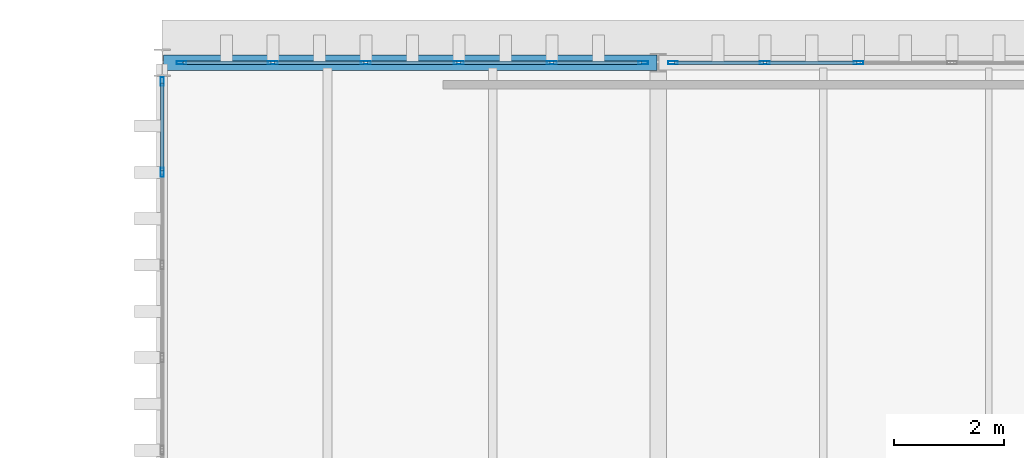
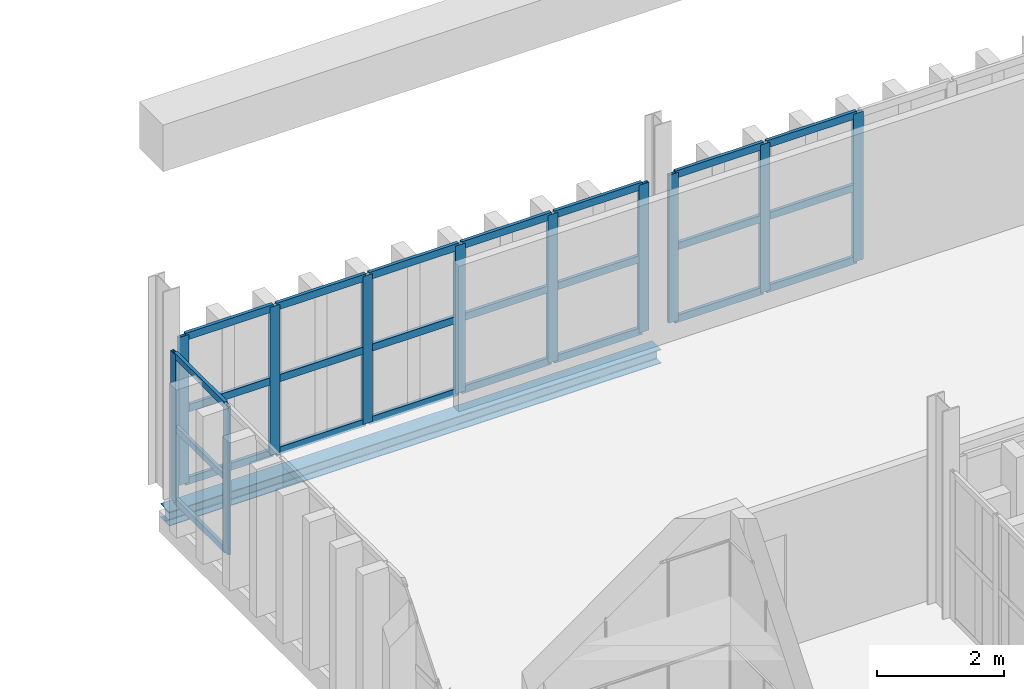
# One storey, part 68 of 102: 35 members, 1 beam, 3 elements without a shape of their own.
"""IFC4 building model written with IfcOpenShell, lengths in metres."""

from ifc_helpers import new_model, si_unit, direction, frame, origin, origin_2d, place, context, subcontext, project, spatial, hollow_rectangle, i_section, extrude, material, layer, layer_set, material_profile, profile_set, type_object, element, aggregate, save


model = new_model("IFC4")

# Units and contexts
model_context = context("Model", 3, precision=1e-05, world=origin(), true_north=direction((0.0, 1.0)))
body_context = subcontext(model_context, "Body", "Model", "MODEL_VIEW")
ifc_project = project(units=[si_unit("LENGTHUNIT", "METRE"), si_unit("AREAUNIT", "SQUARE_METRE"), si_unit("VOLUMEUNIT", "CUBIC_METRE"), si_unit("PLANEANGLEUNIT", "RADIAN"), si_unit("MASSUNIT", "GRAM", prefix="KILO")], contexts=[model_context])

# Site, building, storey
site_placement = place(None, origin())
site = spatial("IfcSite", under=ifc_project, at=site_placement, CompositionType="ELEMENT")
building_placement = place(site_placement, origin())
building = spatial("IfcBuilding", under=site, at=building_placement, Name="Barlavento Convention Centre", CompositionType="ELEMENT")
storey_placement = place(building_placement, frame((0.0, 0.0, 22.800048828125)))
storey = spatial("IfcBuildingStorey", under=building, at=storey_placement, Name="L04", CompositionType="ELEMENT", Elevation=22.800048828125)

# Curtain wall, members
ifc_material_1 = material(Name="Powder-coated aluminium and Low-E glass", Category="aluminium")
ifc_layer = layer(ifc_material_1, 0.18505859375)
ifc_layer_set = layer_set([ifc_layer], Name="ARC-CW-CONF-L04")
curtain_wall_type = type_object("IfcCurtainWallType", Name="ARC-CW-CONF-L04", PredefinedType="NOTDEFINED", material=ifc_layer_set)
curtain_wall_1_placement = place(storey_placement, origin())
curtain_wall_1 = element("IfcCurtainWall", 1, at=curtain_wall_1_placement, inside=storey, type_object=curtain_wall_type, Name="L04 unitised curtain wall CW09", PredefinedType="NOTDEFINED")
ifc_material_2 = material(Name="Powder-coated aluminium", Category="aluminium")
ifc_material_profile_1 = material_profile(ifc_material_2, hollow_rectangle(XDim=0.06005859375, YDim=0.159912109375, WallThickness=0.00390625, at=origin_2d()), Name="AL-MULL 60x160x4")
ifc_profile_set_1 = profile_set([ifc_material_profile_1], Name="Powder-coated aluminium")
member_type_1 = type_object("IfcMemberType", Name="ARC-CWM-60X160", PredefinedType="MULLION", material=ifc_profile_set_1)
member_1_placement = place(storey_placement, frame((126.0, 97.009033203125, 0.0), z_axis=(0.0, 0.0, 1.0), x_axis=(-1.0, 0.0, 0.0)))
member_1 = element("IfcMember", 2, at=member_1_placement, type_object=member_type_1, Name="CW09 mullion 5", PredefinedType="MULLION", context=body_context, shape_type="SweptSolid", body=[
    extrude(hollow_rectangle(XDim=0.06005859375, YDim=0.159912109375, WallThickness=0.00390625, at=origin_2d()), origin(), (0.0, 0.0, 1.0), 2.849853515625),
])
member_2_placement = place(storey_placement, frame((126.0, 98.659912109375, 0.0), z_axis=(0.0, 0.0, 1.0), x_axis=(-1.0, 0.0, 0.0)))
member_2 = element("IfcMember", 3, at=member_2_placement, type_object=member_type_1, Name="CW09 mullion 6", PredefinedType="MULLION", context=body_context, shape_type="SweptSolid", body=[
    extrude(hollow_rectangle(XDim=0.06005859375, YDim=0.159912109375, WallThickness=0.00390625, at=origin_2d()), origin(), (0.0, 0.0, 1.0), 2.849853515625),
])

curtain_wall_2_placement = place(storey_placement, origin())
curtain_wall_2 = element("IfcCurtainWall", 4, at=curtain_wall_2_placement, inside=storey, type_object=curtain_wall_type, Name="L04 unitised curtain wall CW09", PredefinedType="NOTDEFINED")
ifc_material_profile_2 = material_profile(ifc_material_2, hollow_rectangle(XDim=0.06005859375, YDim=0.179931640625, WallThickness=0.0048828125, at=origin_2d()), Name="AL-MULL 60x180x5")
ifc_profile_set_2 = profile_set([ifc_material_profile_2], Name="Powder-coated aluminium")
member_type_2 = type_object("IfcMemberType", Name="ARC-CWM-60X180", PredefinedType="MULLION", material=ifc_profile_set_2)
member_3_placement = place(storey_placement, frame((126.35009765625, 99.0, 0.0), z_axis=(0.0, 0.0, 1.0), x_axis=(0.0, 1.0, 0.0)))
member_3 = element("IfcMember", 5, at=member_3_placement, type_object=member_type_2, Name="CW09 mullion 1", PredefinedType="MULLION", context=body_context, shape_type="SweptSolid", body=[
    extrude(hollow_rectangle(XDim=0.06005859375, YDim=0.179931640625, WallThickness=0.0048828125, at=origin_2d()), origin(), (0.0, 0.0, 1.0), 2.849853515625),
])
member_4_placement = place(storey_placement, frame((128.008056640625, 99.0, 0.0), z_axis=(0.0, 0.0, 1.0), x_axis=(0.0, 1.0, 0.0)))
member_4 = element("IfcMember", 6, at=member_4_placement, type_object=member_type_2, Name="CW09 mullion 2", PredefinedType="MULLION", context=body_context, shape_type="SweptSolid", body=[
    extrude(hollow_rectangle(XDim=0.06005859375, YDim=0.179931640625, WallThickness=0.0048828125, at=origin_2d()), origin(), (0.0, 0.0, 1.0), 2.849853515625),
])
member_5_placement = place(storey_placement, frame((129.696044921875, 99.0, 0.0), z_axis=(0.0, 0.0, 1.0), x_axis=(0.0, 1.0, 0.0)))
member_5 = element("IfcMember", 7, at=member_5_placement, type_object=member_type_2, Name="CW09 mullion 3", PredefinedType="MULLION", context=body_context, shape_type="SweptSolid", body=[
    extrude(hollow_rectangle(XDim=0.06005859375, YDim=0.179931640625, WallThickness=0.0048828125, at=origin_2d()), origin(), (0.0, 0.0, 1.0), 2.849853515625),
])
member_6_placement = place(storey_placement, frame((131.384033203125, 99.0, 0.0), z_axis=(0.0, 0.0, 1.0), x_axis=(0.0, 1.0, 0.0)))
member_6 = element("IfcMember", 8, at=member_6_placement, type_object=member_type_2, Name="CW09 mullion 4", PredefinedType="MULLION", context=body_context, shape_type="SweptSolid", body=[
    extrude(hollow_rectangle(XDim=0.06005859375, YDim=0.179931640625, WallThickness=0.0048828125, at=origin_2d()), origin(), (0.0, 0.0, 1.0), 2.849853515625),
])
member_7_placement = place(storey_placement, frame((133.072021484375, 99.0, 0.0), z_axis=(0.0, 0.0, 1.0), x_axis=(0.0, 1.0, 0.0)))
member_7 = element("IfcMember", 9, at=member_7_placement, type_object=member_type_2, Name="CW09 mullion 5", PredefinedType="MULLION", context=body_context, shape_type="SweptSolid", body=[
    extrude(hollow_rectangle(XDim=0.06005859375, YDim=0.179931640625, WallThickness=0.0048828125, at=origin_2d()), origin(), (0.0, 0.0, 1.0), 2.849853515625),
])
member_8_placement = place(storey_placement, frame((134.72998046875, 99.0, 0.0), z_axis=(0.0, 0.0, 1.0), x_axis=(0.0, 1.0, 0.0)))
member_8 = element("IfcMember", 10, at=member_8_placement, type_object=member_type_2, Name="CW09 mullion 6", PredefinedType="MULLION", context=body_context, shape_type="SweptSolid", body=[
    extrude(hollow_rectangle(XDim=0.06005859375, YDim=0.179931640625, WallThickness=0.0048828125, at=origin_2d()), origin(), (0.0, 0.0, 1.0), 2.849853515625),
])

curtain_wall_3_placement = place(storey_placement, origin())
curtain_wall_3 = element("IfcCurtainWall", 11, at=curtain_wall_3_placement, inside=storey, type_object=curtain_wall_type, Name="L04 unitised curtain wall CW09", PredefinedType="NOTDEFINED")
member_9_placement = place(storey_placement, frame((135.27001953125, 99.0, 0.0), z_axis=(0.0, 0.0, 1.0), x_axis=(0.0, 1.0, 0.0)))
member_9 = element("IfcMember", 12, at=member_9_placement, type_object=member_type_2, Name="CW09 mullion 1", PredefinedType="MULLION", context=body_context, shape_type="SweptSolid", body=[
    extrude(hollow_rectangle(XDim=0.06005859375, YDim=0.179931640625, WallThickness=0.0048828125, at=origin_2d()), origin(), (0.0, 0.0, 1.0), 2.849853515625),
])
member_10_placement = place(storey_placement, frame((136.93798828125, 99.0, 0.0), z_axis=(0.0, 0.0, 1.0), x_axis=(0.0, 1.0, 0.0)))
member_10 = element("IfcMember", 13, at=member_10_placement, type_object=member_type_2, Name="CW09 mullion 2", PredefinedType="MULLION", context=body_context, shape_type="SweptSolid", body=[
    extrude(hollow_rectangle(XDim=0.06005859375, YDim=0.179931640625, WallThickness=0.0048828125, at=origin_2d()), origin(), (0.0, 0.0, 1.0), 2.849853515625),
])
member_11_placement = place(storey_placement, frame((138.635986328125, 99.0, 0.0), z_axis=(0.0, 0.0, 1.0), x_axis=(0.0, 1.0, 0.0)))
member_11 = element("IfcMember", 14, at=member_11_placement, type_object=member_type_2, Name="CW09 mullion 3", PredefinedType="MULLION", context=body_context, shape_type="SweptSolid", body=[
    extrude(hollow_rectangle(XDim=0.06005859375, YDim=0.179931640625, WallThickness=0.0048828125, at=origin_2d()), origin(), (0.0, 0.0, 1.0), 2.849853515625),
])

# Member
ifc_material_profile_3 = material_profile(ifc_material_2, hollow_rectangle(XDim=0.06005859375, YDim=0.1201171875, WallThickness=0.00390625, at=origin_2d()), Name="AL-TRAN 60x120x4")
ifc_profile_set_3 = profile_set([ifc_material_profile_3], Name="Powder-coated aluminium")
member_type_3 = type_object("IfcMemberType", Name="ARC-CWT-60X120", PredefinedType="USERDEFINED", material=ifc_profile_set_3)
member_12_placement = place(storey_placement, frame((126.0, 97.0390625, 0.030029296875), z_axis=(0.0, 1.0, 0.0), x_axis=(-1.0, 0.0, 0.0)))
member_12 = element("IfcMember", 15, at=member_12_placement, type_object=member_type_3, Name="CW09 transom 5.1", ObjectType="TRANSOM", PredefinedType="USERDEFINED", context=body_context, shape_type="SweptSolid", body=[
    extrude(hollow_rectangle(XDim=0.06005859375, YDim=0.1201171875, WallThickness=0.00390625, at=origin_2d()), origin(), (0.0, 0.0, 1.0), 1.5908203125),
])

member_13_placement = place(storey_placement, frame((126.0, 97.0390625, 1.425048828125), z_axis=(0.0, 1.0, 0.0), x_axis=(-1.0, 0.0, 0.0)))
member_13 = element("IfcMember", 16, at=member_13_placement, type_object=member_type_3, Name="CW09 transom 5.2", ObjectType="TRANSOM", PredefinedType="USERDEFINED", context=body_context, shape_type="SweptSolid", body=[
    extrude(hollow_rectangle(XDim=0.06005859375, YDim=0.1201171875, WallThickness=0.00390625, at=origin_2d()), origin(), (0.0, 0.0, 1.0), 1.5908203125),
])

member_14_placement = place(storey_placement, frame((126.0, 97.0390625, 2.820068359375), z_axis=(0.0, 1.0, 0.0), x_axis=(-1.0, 0.0, 0.0)))
member_14 = element("IfcMember", 17, at=member_14_placement, type_object=member_type_3, Name="CW09 transom 5.3", ObjectType="TRANSOM", PredefinedType="USERDEFINED", context=body_context, shape_type="SweptSolid", body=[
    extrude(hollow_rectangle(XDim=0.06005859375, YDim=0.1201171875, WallThickness=0.00390625, at=origin_2d()), origin(), (0.0, 0.0, 1.0), 1.5908203125),
])

aggregate(curtain_wall_1, [member_1, member_2, member_12, member_13, member_14])

ifc_material_profile_4 = material_profile(ifc_material_2, hollow_rectangle(XDim=0.06005859375, YDim=0.139892578125, WallThickness=0.00390625, at=origin_2d()), Name="AL-TRAN 60x140x4")
ifc_profile_set_4 = profile_set([ifc_material_profile_4], Name="Powder-coated aluminium")
member_type_4 = type_object("IfcMemberType", Name="ARC-CWT-60X140", PredefinedType="USERDEFINED", material=ifc_profile_set_4)
member_15_placement = place(storey_placement, frame((126.3798828125, 99.0, 0.030029296875), z_axis=(1.0, 0.0, 0.0), x_axis=(0.0, 1.0, 0.0)))
member_15 = element("IfcMember", 18, at=member_15_placement, type_object=member_type_4, Name="CW09 transom 1.1", ObjectType="TRANSOM", PredefinedType="USERDEFINED", context=body_context, shape_type="SweptSolid", body=[
    extrude(hollow_rectangle(XDim=0.06005859375, YDim=0.139892578125, WallThickness=0.00390625, at=origin_2d()), origin(), (0.0, 0.0, 1.0), 1.59814453125),
])

member_16_placement = place(storey_placement, frame((126.3798828125, 99.0, 1.425048828125), z_axis=(1.0, 0.0, 0.0), x_axis=(0.0, 1.0, 0.0)))
member_16 = element("IfcMember", 19, at=member_16_placement, type_object=member_type_4, Name="CW09 transom 1.2", ObjectType="TRANSOM", PredefinedType="USERDEFINED", context=body_context, shape_type="SweptSolid", body=[
    extrude(hollow_rectangle(XDim=0.06005859375, YDim=0.139892578125, WallThickness=0.00390625, at=origin_2d()), origin(), (0.0, 0.0, 1.0), 1.59814453125),
])

member_17_placement = place(storey_placement, frame((126.3798828125, 99.0, 2.820068359375), z_axis=(1.0, 0.0, 0.0), x_axis=(0.0, 1.0, 0.0)))
member_17 = element("IfcMember", 20, at=member_17_placement, type_object=member_type_4, Name="CW09 transom 1.3", ObjectType="TRANSOM", PredefinedType="USERDEFINED", context=body_context, shape_type="SweptSolid", body=[
    extrude(hollow_rectangle(XDim=0.06005859375, YDim=0.139892578125, WallThickness=0.00390625, at=origin_2d()), origin(), (0.0, 0.0, 1.0), 1.59814453125),
])

member_18_placement = place(storey_placement, frame((128.0380859375, 99.0, 0.030029296875), z_axis=(1.0, 0.0, 0.0), x_axis=(0.0, 1.0, 0.0)))
member_18 = element("IfcMember", 21, at=member_18_placement, type_object=member_type_4, Name="CW09 transom 2.1", ObjectType="TRANSOM", PredefinedType="USERDEFINED", context=body_context, shape_type="SweptSolid", body=[
    extrude(hollow_rectangle(XDim=0.06005859375, YDim=0.139892578125, WallThickness=0.00390625, at=origin_2d()), origin(), (0.0, 0.0, 1.0), 1.6279296875),
])

member_19_placement = place(storey_placement, frame((128.0380859375, 99.0, 1.425048828125), z_axis=(1.0, 0.0, 0.0), x_axis=(0.0, 1.0, 0.0)))
member_19 = element("IfcMember", 22, at=member_19_placement, type_object=member_type_4, Name="CW09 transom 2.2", ObjectType="TRANSOM", PredefinedType="USERDEFINED", context=body_context, shape_type="SweptSolid", body=[
    extrude(hollow_rectangle(XDim=0.06005859375, YDim=0.139892578125, WallThickness=0.00390625, at=origin_2d()), origin(), (0.0, 0.0, 1.0), 1.6279296875),
])

member_20_placement = place(storey_placement, frame((128.0380859375, 99.0, 2.820068359375), z_axis=(1.0, 0.0, 0.0), x_axis=(0.0, 1.0, 0.0)))
member_20 = element("IfcMember", 23, at=member_20_placement, type_object=member_type_4, Name="CW09 transom 2.3", ObjectType="TRANSOM", PredefinedType="USERDEFINED", context=body_context, shape_type="SweptSolid", body=[
    extrude(hollow_rectangle(XDim=0.06005859375, YDim=0.139892578125, WallThickness=0.00390625, at=origin_2d()), origin(), (0.0, 0.0, 1.0), 1.6279296875),
])

member_21_placement = place(storey_placement, frame((129.72607421875, 99.0, 0.030029296875), z_axis=(1.0, 0.0, 0.0), x_axis=(0.0, 1.0, 0.0)))
member_21 = element("IfcMember", 24, at=member_21_placement, type_object=member_type_4, Name="CW09 transom 3.1", ObjectType="TRANSOM", PredefinedType="USERDEFINED", context=body_context, shape_type="SweptSolid", body=[
    extrude(hollow_rectangle(XDim=0.06005859375, YDim=0.139892578125, WallThickness=0.00390625, at=origin_2d()), origin(), (0.0, 0.0, 1.0), 1.6279296875),
])

member_22_placement = place(storey_placement, frame((129.72607421875, 99.0, 1.425048828125), z_axis=(1.0, 0.0, 0.0), x_axis=(0.0, 1.0, 0.0)))
member_22 = element("IfcMember", 25, at=member_22_placement, type_object=member_type_4, Name="CW09 transom 3.2", ObjectType="TRANSOM", PredefinedType="USERDEFINED", context=body_context, shape_type="SweptSolid", body=[
    extrude(hollow_rectangle(XDim=0.06005859375, YDim=0.139892578125, WallThickness=0.00390625, at=origin_2d()), origin(), (0.0, 0.0, 1.0), 1.6279296875),
])

member_23_placement = place(storey_placement, frame((129.72607421875, 99.0, 2.820068359375), z_axis=(1.0, 0.0, 0.0), x_axis=(0.0, 1.0, 0.0)))
member_23 = element("IfcMember", 26, at=member_23_placement, type_object=member_type_4, Name="CW09 transom 3.3", ObjectType="TRANSOM", PredefinedType="USERDEFINED", context=body_context, shape_type="SweptSolid", body=[
    extrude(hollow_rectangle(XDim=0.06005859375, YDim=0.139892578125, WallThickness=0.00390625, at=origin_2d()), origin(), (0.0, 0.0, 1.0), 1.6279296875),
])

member_24_placement = place(storey_placement, frame((131.4140625, 99.0, 0.030029296875), z_axis=(1.0, 0.0, 0.0), x_axis=(0.0, 1.0, 0.0)))
member_24 = element("IfcMember", 27, at=member_24_placement, type_object=member_type_4, Name="CW09 transom 4.1", ObjectType="TRANSOM", PredefinedType="USERDEFINED", context=body_context, shape_type="SweptSolid", body=[
    extrude(hollow_rectangle(XDim=0.06005859375, YDim=0.139892578125, WallThickness=0.00390625, at=origin_2d()), origin(), (0.0, 0.0, 1.0), 1.6279296875),
])

member_25_placement = place(storey_placement, frame((131.4140625, 99.0, 1.425048828125), z_axis=(1.0, 0.0, 0.0), x_axis=(0.0, 1.0, 0.0)))
member_25 = element("IfcMember", 28, at=member_25_placement, type_object=member_type_4, Name="CW09 transom 4.2", ObjectType="TRANSOM", PredefinedType="USERDEFINED", context=body_context, shape_type="SweptSolid", body=[
    extrude(hollow_rectangle(XDim=0.06005859375, YDim=0.139892578125, WallThickness=0.00390625, at=origin_2d()), origin(), (0.0, 0.0, 1.0), 1.6279296875),
])

member_26_placement = place(storey_placement, frame((131.4140625, 99.0, 2.820068359375), z_axis=(1.0, 0.0, 0.0), x_axis=(0.0, 1.0, 0.0)))
member_26 = element("IfcMember", 29, at=member_26_placement, type_object=member_type_4, Name="CW09 transom 4.3", ObjectType="TRANSOM", PredefinedType="USERDEFINED", context=body_context, shape_type="SweptSolid", body=[
    extrude(hollow_rectangle(XDim=0.06005859375, YDim=0.139892578125, WallThickness=0.00390625, at=origin_2d()), origin(), (0.0, 0.0, 1.0), 1.6279296875),
])

member_27_placement = place(storey_placement, frame((133.10205078125, 99.0, 0.030029296875), z_axis=(1.0, 0.0, 0.0), x_axis=(0.0, 1.0, 0.0)))
member_27 = element("IfcMember", 30, at=member_27_placement, type_object=member_type_4, Name="CW09 transom 5.1", ObjectType="TRANSOM", PredefinedType="USERDEFINED", context=body_context, shape_type="SweptSolid", body=[
    extrude(hollow_rectangle(XDim=0.06005859375, YDim=0.139892578125, WallThickness=0.00390625, at=origin_2d()), origin(), (0.0, 0.0, 1.0), 1.597900390625),
])

member_28_placement = place(storey_placement, frame((133.10205078125, 99.0, 1.425048828125), z_axis=(1.0, 0.0, 0.0), x_axis=(0.0, 1.0, 0.0)))
member_28 = element("IfcMember", 31, at=member_28_placement, type_object=member_type_4, Name="CW09 transom 5.2", ObjectType="TRANSOM", PredefinedType="USERDEFINED", context=body_context, shape_type="SweptSolid", body=[
    extrude(hollow_rectangle(XDim=0.06005859375, YDim=0.139892578125, WallThickness=0.00390625, at=origin_2d()), origin(), (0.0, 0.0, 1.0), 1.597900390625),
])

member_29_placement = place(storey_placement, frame((133.10205078125, 99.0, 2.820068359375), z_axis=(1.0, 0.0, 0.0), x_axis=(0.0, 1.0, 0.0)))
member_29 = element("IfcMember", 32, at=member_29_placement, type_object=member_type_4, Name="CW09 transom 5.3", ObjectType="TRANSOM", PredefinedType="USERDEFINED", context=body_context, shape_type="SweptSolid", body=[
    extrude(hollow_rectangle(XDim=0.06005859375, YDim=0.139892578125, WallThickness=0.00390625, at=origin_2d()), origin(), (0.0, 0.0, 1.0), 1.597900390625),
])

aggregate(curtain_wall_2, [member_3, member_4, member_5, member_6, member_7, member_8, member_15, member_16, member_17, member_18, member_19, member_20, member_21, member_22, member_23, member_24, member_25, member_26, member_27, member_28, member_29])

member_30_placement = place(storey_placement, frame((135.300048828125, 99.0, 0.030029296875), z_axis=(1.0, 0.0, 0.0), x_axis=(0.0, 1.0, 0.0)))
member_30 = element("IfcMember", 33, at=member_30_placement, type_object=member_type_4, Name="CW09 transom 1.1", ObjectType="TRANSOM", PredefinedType="USERDEFINED", context=body_context, shape_type="SweptSolid", body=[
    extrude(hollow_rectangle(XDim=0.06005859375, YDim=0.139892578125, WallThickness=0.00390625, at=origin_2d()), origin(), (0.0, 0.0, 1.0), 1.60791015625),
])

member_31_placement = place(storey_placement, frame((135.300048828125, 99.0, 1.425048828125), z_axis=(1.0, 0.0, 0.0), x_axis=(0.0, 1.0, 0.0)))
member_31 = element("IfcMember", 34, at=member_31_placement, type_object=member_type_4, Name="CW09 transom 1.2", ObjectType="TRANSOM", PredefinedType="USERDEFINED", context=body_context, shape_type="SweptSolid", body=[
    extrude(hollow_rectangle(XDim=0.06005859375, YDim=0.139892578125, WallThickness=0.00390625, at=origin_2d()), origin(), (0.0, 0.0, 1.0), 1.60791015625),
])

member_32_placement = place(storey_placement, frame((135.300048828125, 99.0, 2.820068359375), z_axis=(1.0, 0.0, 0.0), x_axis=(0.0, 1.0, 0.0)))
member_32 = element("IfcMember", 35, at=member_32_placement, type_object=member_type_4, Name="CW09 transom 1.3", ObjectType="TRANSOM", PredefinedType="USERDEFINED", context=body_context, shape_type="SweptSolid", body=[
    extrude(hollow_rectangle(XDim=0.06005859375, YDim=0.139892578125, WallThickness=0.00390625, at=origin_2d()), origin(), (0.0, 0.0, 1.0), 1.60791015625),
])

member_33_placement = place(storey_placement, frame((136.968017578125, 99.0, 0.030029296875), z_axis=(1.0, 0.0, 0.0), x_axis=(0.0, 1.0, 0.0)))
member_33 = element("IfcMember", 36, at=member_33_placement, type_object=member_type_4, Name="CW09 transom 2.1", ObjectType="TRANSOM", PredefinedType="USERDEFINED", context=body_context, shape_type="SweptSolid", body=[
    extrude(hollow_rectangle(XDim=0.06005859375, YDim=0.139892578125, WallThickness=0.00390625, at=origin_2d()), origin(), (0.0, 0.0, 1.0), 1.637939453125),
])

member_34_placement = place(storey_placement, frame((136.968017578125, 99.0, 1.425048828125), z_axis=(1.0, 0.0, 0.0), x_axis=(0.0, 1.0, 0.0)))
member_34 = element("IfcMember", 37, at=member_34_placement, type_object=member_type_4, Name="CW09 transom 2.2", ObjectType="TRANSOM", PredefinedType="USERDEFINED", context=body_context, shape_type="SweptSolid", body=[
    extrude(hollow_rectangle(XDim=0.06005859375, YDim=0.139892578125, WallThickness=0.00390625, at=origin_2d()), origin(), (0.0, 0.0, 1.0), 1.637939453125),
])

member_35_placement = place(storey_placement, frame((136.968017578125, 99.0, 2.820068359375), z_axis=(1.0, 0.0, 0.0), x_axis=(0.0, 1.0, 0.0)))
member_35 = element("IfcMember", 38, at=member_35_placement, type_object=member_type_4, Name="CW09 transom 2.3", ObjectType="TRANSOM", PredefinedType="USERDEFINED", context=body_context, shape_type="SweptSolid", body=[
    extrude(hollow_rectangle(XDim=0.06005859375, YDim=0.139892578125, WallThickness=0.00390625, at=origin_2d()), origin(), (0.0, 0.0, 1.0), 1.637939453125),
])

aggregate(curtain_wall_3, [member_9, member_10, member_11, member_30, member_31, member_32, member_33, member_34, member_35])

# Beam
ifc_material_3 = material(Name="Steel S355", Category="steel")
ifc_material_profile_5 = material_profile(ifc_material_3, i_section(OverallWidth=0.280029296875, OverallDepth=0.27001953125, WebThickness=0.008056640625, FlangeThickness=0.012939453125, FilletRadius=0.02392578125, at=origin_2d()), Name="HEA 280")
ifc_profile_set_5 = profile_set([ifc_material_profile_5], Name="Steel S355")
beam_type = type_object("IfcBeamType", Name="STR-BM-SPN-HEA280", PredefinedType="SPANDREL", material=ifc_profile_set_5)
beam_placement = place(storey_placement, frame((126.02001953125, 99.0, -0.4951171875), z_axis=(1.0, 0.0, 0.0), x_axis=(0.0, 1.0, 0.0)))
element("IfcBeam", 39, at=beam_placement, inside=storey, type_object=beam_type, Name="L04 primary girder SP03", PredefinedType="SPANDREL", context=body_context, shape_type="SweptSolid", body=[
    extrude(i_section(OverallWidth=0.280029296875, OverallDepth=0.27001953125, WebThickness=0.008056640625, FlangeThickness=0.012939453125, FilletRadius=0.02392578125, at=origin_2d()), origin(), (0.0, 0.0, 1.0), 8.9599609375),
])

save(model, "model.ifc")
